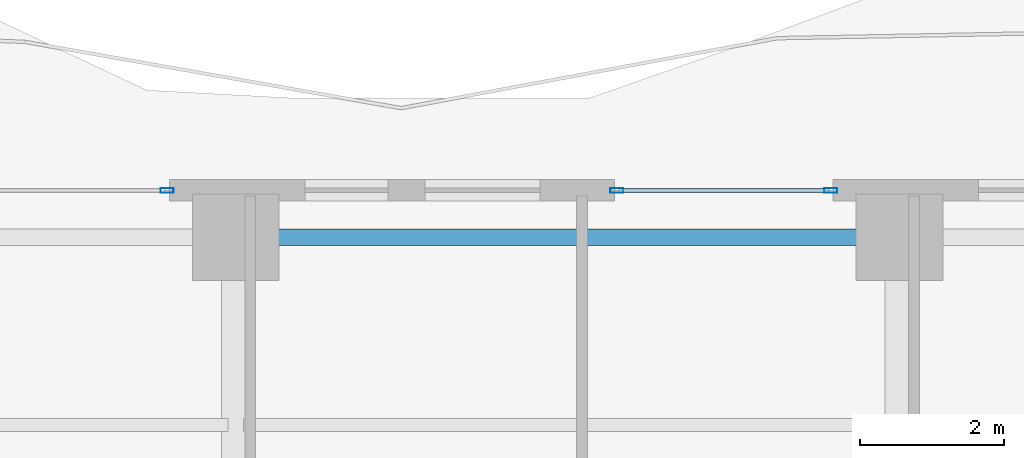
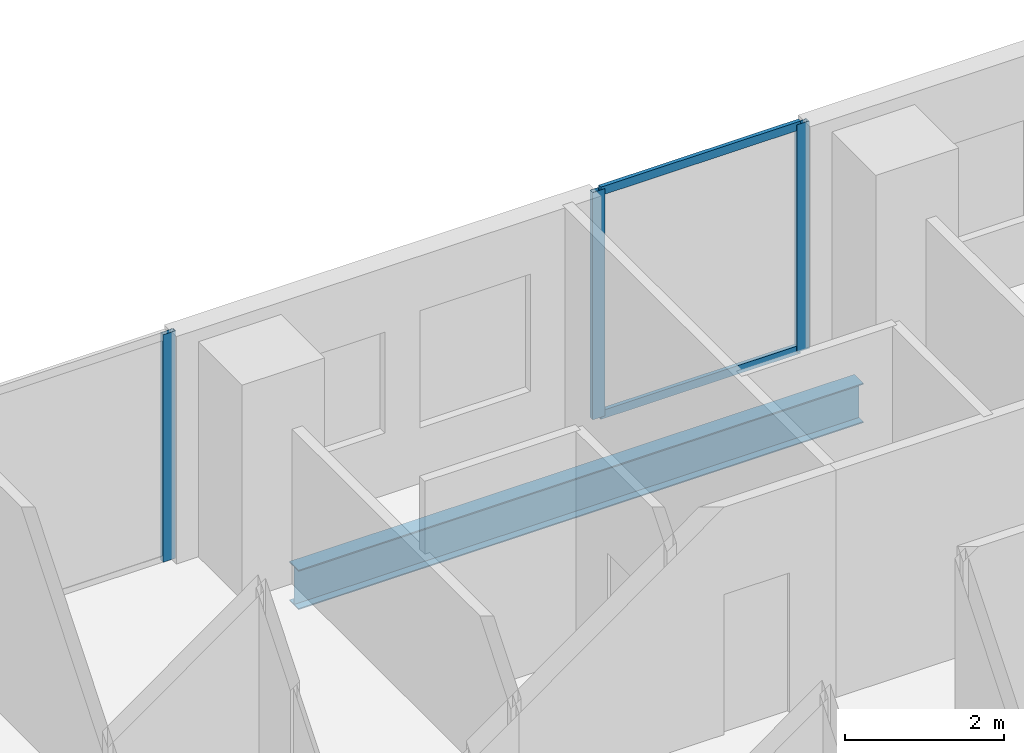
# One storey, part 19 of 33: 5 members, 1 beam, 2 elements without a shape of their own.
"""IFC4 building model written with IfcOpenShell, lengths in metres."""

from ifc_helpers import new_model, si_unit, direction, frame, origin, origin_2d, place, context, subcontext, project, spatial, hollow_rectangle, i_section, extrude, material, layer, layer_set, material_profile, profile_set, type_object, element, aggregate, save


model = new_model("IFC4")

# Units and contexts
model_context = context("Model", 3, precision=1e-05, world=origin(), true_north=direction((0.0, 1.0)))
body_context = subcontext(model_context, "Body", "Model", "MODEL_VIEW")
ifc_project = project(units=[si_unit("LENGTHUNIT", "METRE"), si_unit("AREAUNIT", "SQUARE_METRE"), si_unit("VOLUMEUNIT", "CUBIC_METRE"), si_unit("PLANEANGLEUNIT", "RADIAN"), si_unit("MASSUNIT", "GRAM", prefix="KILO")], contexts=[model_context])

# Site, building, storey
site_placement = place(None, origin())
site = spatial("IfcSite", under=ifc_project, at=site_placement, CompositionType="ELEMENT")
building_placement = place(site_placement, origin())
building = spatial("IfcBuilding", under=site, at=building_placement, Name="Zuhayl Quay Hotel", CompositionType="ELEMENT")
storey_placement = place(building_placement, frame((0.0, 0.0, 229.89990234375)))
storey = spatial("IfcBuildingStorey", under=building, at=storey_placement, Name="L58", CompositionType="ELEMENT", Elevation=229.89990234375)

# Beam
ifc_material_1 = material(Name="Steel ASTM A992 Grade 50", Category="steel")
ifc_material_profile_1 = material_profile(ifc_material_1, i_section(OverallWidth=0.22802734375, OverallDepth=0.60693359375, WebThickness=0.01123046875, FlangeThickness=0.017333984375, at=origin_2d()), Name="W24X76")
ifc_profile_set_1 = profile_set([ifc_material_profile_1], Name="Steel ASTM A992 Grade 50")
beam_type = type_object("IfcBeamType", Name="BM_B3_W24X76", PredefinedType="BEAM", material=ifc_profile_set_1)
beam_placement = place(storey_placement, frame((4.10009765625, 32.949951171875, -0.5234375), z_axis=(-1.0, 0.0, 0.0), x_axis=(0.0, -1.0, 0.0)))
element("IfcBeam", 1, at=beam_placement, inside=storey, type_object=beam_type, Name="L58 Floor Beam RG_L58_08", PredefinedType="BEAM", context=body_context, shape_type="SweptSolid", body=[
    extrude(i_section(OverallWidth=0.22802734375, OverallDepth=0.60693359375, WebThickness=0.01123046875, FlangeThickness=0.017333984375, at=origin_2d()), origin(), (0.0, 0.0, 1.0), 8.2001953125),
])

# Curtain wall, member
ifc_material_2 = material(Name="Anodised Aluminium 6063-T6", Category="aluminium")
ifc_layer = layer(ifc_material_2, 0.175048828125, Name="Anodised Aluminium 6063-T6", Category="aluminium")
ifc_layer_set = layer_set([ifc_layer], Name="Anodised Aluminium 6063-T6")
curtain_wall_type = type_object("IfcCurtainWallType", Name="CW_SYS_Z3", PredefinedType="USERDEFINED", material=ifc_layer_set)
curtain_wall_1_placement = place(storey_placement, origin())
curtain_wall_1 = element("IfcCurtainWall", 2, at=curtain_wall_1_placement, inside=storey, type_object=curtain_wall_type, Name="L58 Curtain Wall ENV_L58_N_CW3", ObjectType="UNITISED CURTAIN WALL", PredefinedType="USERDEFINED")
ifc_material_3 = material(Name="Black-anodised aluminium 6063-T6", Category="aluminium")
ifc_material_profile_2 = material_profile(ifc_material_3, hollow_rectangle(XDim=0.06494140625, YDim=0.179931640625, WallThickness=0.00341796875, at=origin_2d()), Name="ALU180X65")
ifc_profile_set_2 = profile_set([ifc_material_profile_2], Name="Black-anodised aluminium 6063-T6")
member_type_1 = type_object("IfcMemberType", Name="MB_CW_MUL_180", PredefinedType="MULLION", material=ifc_profile_set_2)
member_1_placement = place(storey_placement, frame((-5.552490234375, 33.60009765625, 0.0), z_axis=(0.0, 0.0, 1.0), x_axis=(0.0, 1.0, 0.0)))
member_1 = element("IfcMember", 3, at=member_1_placement, type_object=member_type_1, Name="CW-Z3 mullion 2", PredefinedType="MULLION", context=body_context, shape_type="SweptSolid", body=[
    extrude(hollow_rectangle(XDim=0.06494140625, YDim=0.179931640625, WallThickness=0.00341796875, at=origin_2d()), origin(), (0.0, 0.0, 1.0), 3.489990234375),
])
aggregate(curtain_wall_1, [member_1])

# Curtain wall, members
curtain_wall_2_placement = place(storey_placement, origin())
curtain_wall_2 = element("IfcCurtainWall", 4, at=curtain_wall_2_placement, inside=storey, type_object=curtain_wall_type, Name="L58 Curtain Wall ENV_L58_N_CW4", ObjectType="UNITISED CURTAIN WALL", PredefinedType="USERDEFINED")
member_2_placement = place(storey_placement, frame((0.6826171875, 33.60009765625, 0.0), z_axis=(0.0, 0.0, 1.0), x_axis=(0.0, 1.0, 0.0)))
member_2 = element("IfcMember", 5, at=member_2_placement, type_object=member_type_1, Name="CW-Z3 mullion 1", PredefinedType="MULLION", context=body_context, shape_type="SweptSolid", body=[
    extrude(hollow_rectangle(XDim=0.06494140625, YDim=0.179931640625, WallThickness=0.00341796875, at=origin_2d()), origin(), (0.0, 0.0, 1.0), 3.489990234375),
])
member_3_placement = place(storey_placement, frame((3.6474609375, 33.60009765625, 0.0), z_axis=(0.0, 0.0, 1.0), x_axis=(0.0, 1.0, 0.0)))
member_3 = element("IfcMember", 6, at=member_3_placement, type_object=member_type_1, Name="CW-Z3 mullion 2", PredefinedType="MULLION", context=body_context, shape_type="SweptSolid", body=[
    extrude(hollow_rectangle(XDim=0.06494140625, YDim=0.179931640625, WallThickness=0.00341796875, at=origin_2d()), origin(), (0.0, 0.0, 1.0), 3.489990234375),
])
ifc_material_profile_3 = material_profile(ifc_material_3, hollow_rectangle(XDim=0.054931640625, YDim=0.1298828125, WallThickness=0.0029296875, at=origin_2d()), Name="ALU130X55")
ifc_profile_set_3 = profile_set([ifc_material_profile_3], Name="Black-anodised aluminium 6063-T6")
member_type_2 = type_object("IfcMemberType", Name="MB_CW_TRN_130", PredefinedType="USERDEFINED", material=ifc_profile_set_3)
member_4_placement = place(storey_placement, frame((0.715087890625, 33.60009765625, 0.027587890625), z_axis=(1.0, 0.0, 0.0), x_axis=(0.0, 1.0, 0.0)))
member_4 = element("IfcMember", 7, at=member_4_placement, type_object=member_type_2, Name="CW-Z3 transom 1.1", ObjectType="TRANSOM", PredefinedType="USERDEFINED", context=body_context, shape_type="SweptSolid", body=[
    extrude(hollow_rectangle(XDim=0.054931640625, YDim=0.1298828125, WallThickness=0.0029296875, at=origin_2d()), origin(), (0.0, 0.0, 1.0), 2.89990234375),
])
member_5_placement = place(storey_placement, frame((0.715087890625, 33.60009765625, 3.462646484375), z_axis=(1.0, 0.0, 0.0), x_axis=(0.0, 1.0, 0.0)))
member_5 = element("IfcMember", 8, at=member_5_placement, type_object=member_type_2, Name="CW-Z3 transom 1.2", ObjectType="TRANSOM", PredefinedType="USERDEFINED", context=body_context, shape_type="SweptSolid", body=[
    extrude(hollow_rectangle(XDim=0.054931640625, YDim=0.1298828125, WallThickness=0.0029296875, at=origin_2d()), origin(), (0.0, 0.0, 1.0), 2.89990234375),
])
aggregate(curtain_wall_2, [member_2, member_3, member_4, member_5])

save(model, "model.ifc")
